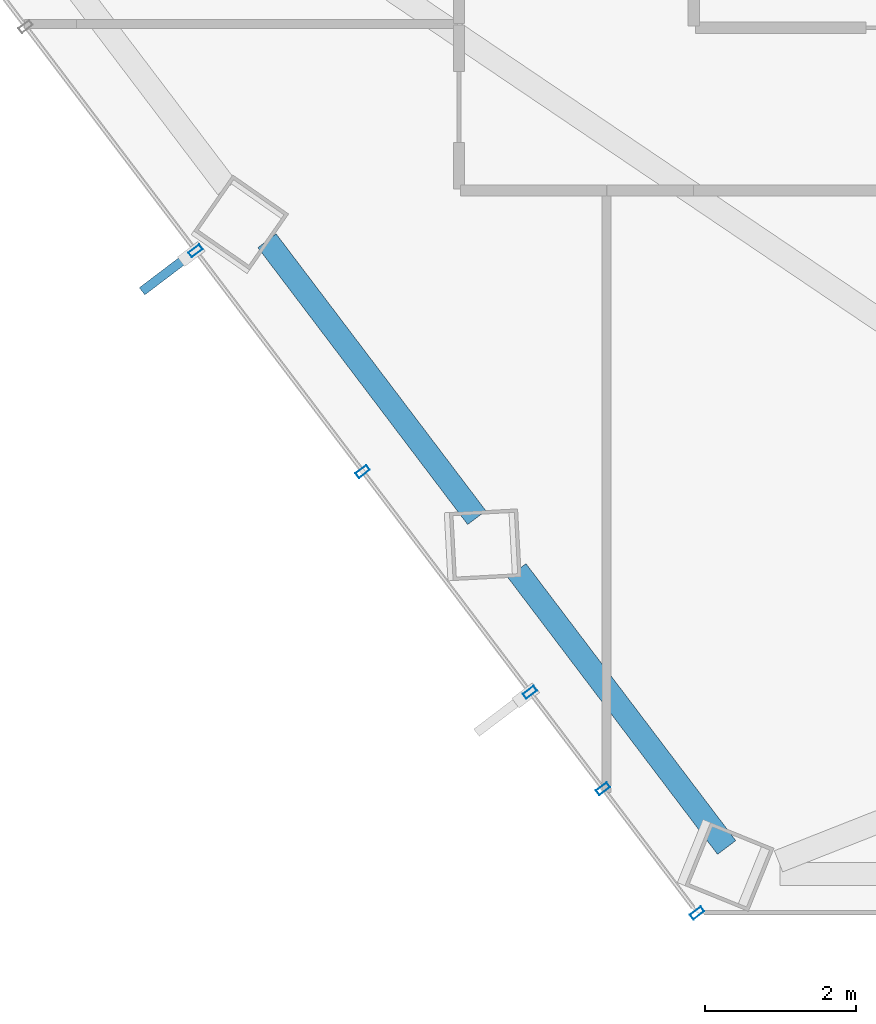
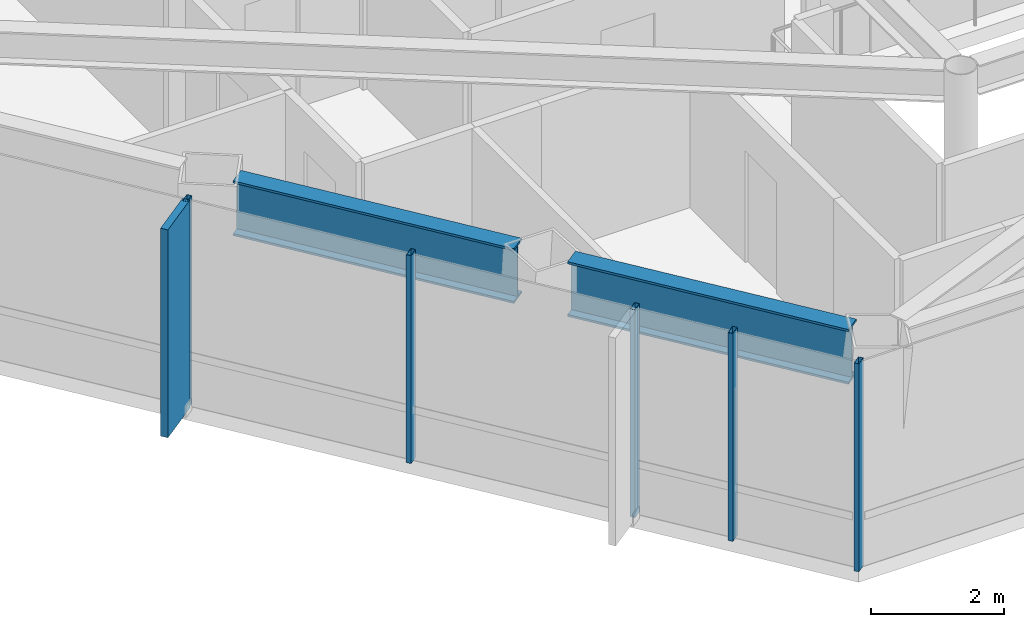
# One storey, part 2 of 26: 6 members, 2 beams, 1 element without a shape of its own.
"""IFC4 building model written with IfcOpenShell, lengths in metres."""

from ifc_helpers import new_model, si_unit, direction, frame, origin, origin_2d, place, context, subcontext, project, spatial, rectangle, hollow_rectangle, i_section, extrude, material, layer, layer_set, material_profile, profile_set, type_object, element, aggregate, save


model = new_model("IFC4")

# Units and contexts
model_context = context("Model", 3, precision=1e-05, world=origin(), true_north=direction((0.0, 1.0)))
body_context = subcontext(model_context, "Body", "Model", "MODEL_VIEW")
ifc_project = project(units=[si_unit("LENGTHUNIT", "METRE"), si_unit("AREAUNIT", "SQUARE_METRE"), si_unit("VOLUMEUNIT", "CUBIC_METRE"), si_unit("PLANEANGLEUNIT", "RADIAN"), si_unit("MASSUNIT", "GRAM", prefix="KILO")], contexts=[model_context])

# Site, building, storey
site_placement = place(None, origin())
site = spatial("IfcSite", under=ifc_project, at=site_placement, CompositionType="ELEMENT")
building_placement = place(site_placement, origin())
building = spatial("IfcBuilding", under=site, at=building_placement, Name="Zarrinselat Tower", CompositionType="ELEMENT")
storey_placement = place(building_placement, frame((0.0, 0.0, 92.820068359375)))
storey = spatial("IfcBuildingStorey", under=building, at=storey_placement, Name="L22", CompositionType="ELEMENT", Elevation=92.820068359375)

# Beams
ifc_material_1 = material(Name="Steel S460M", Category="steel")
ifc_material_profile_1 = material_profile(ifc_material_1, i_section(OverallWidth=0.302001953125, OverallDepth=1.008056640625, WebThickness=0.02099609375, FlangeThickness=0.0400390625, at=origin_2d()), Name="HEM 1000")
ifc_profile_set_1 = profile_set([ifc_material_profile_1], Name="Steel S460M")
beam_type = type_object("IfcBeamType", Name="BM-HEM1000", PredefinedType="BEAM", material=ifc_profile_set_1)
for number, where, z_axis, x_axis, name in (
    (1, (22.9150390625, 27.336669921875, 3.31591796875), (0.603833098178, -0.797110776206, 0.0), (0.797110776206, 0.603833098178, 0.0), "L22 Perimeter Spandrel Girder SP08"),
    (2, (26.21435546875, 22.981689453125, 3.31591796875), (0.603833098178, -0.797110776206, 0.0), (0.797110776206, 0.603833098178, 0.0), "L22 Perimeter Spandrel Girder SP09"),
):
    element("IfcBeam", number, at=place(storey_placement, frame(where, z_axis=z_axis, x_axis=x_axis)), inside=storey, type_object=beam_type, Name=name, PredefinedType="BEAM", context=body_context, shape_type="SweptSolid", body=[
        extrude(i_section(OverallWidth=0.302001953125, OverallDepth=1.008056640625, WebThickness=0.02099609375, FlangeThickness=0.0400390625, at=origin_2d()), origin(), (0.0, 0.0, 1.0), 4.587890625),
    ])

# Curtain wall, members
ifc_material_2 = material(Name="Extruded Aluminium Alloy EN AW-6063 T6", Category="aluminium")
ifc_layer = layer(ifc_material_2, 0.18505859375)
ifc_layer_set = layer_set([ifc_layer], Name="Extruded Aluminium Alloy EN AW-6063 T6")
curtain_wall_type = type_object("IfcCurtainWallType", Name="CWS-OFF", PredefinedType="NOTDEFINED", material=ifc_layer_set)
curtain_wall_placement = place(storey_placement, origin())
curtain_wall = element("IfcCurtainWall", 3, at=curtain_wall_placement, inside=storey, type_object=curtain_wall_type, Name="L22 Unitised Curtain Wall CW-L22-E03", PredefinedType="NOTDEFINED")
ifc_material_3 = material(Name="Extruded Aluminium Alloy EN AW-6063 T6", Category="aluminium")
ifc_material_profile_2 = material_profile(ifc_material_3, hollow_rectangle(XDim=0.080078125, YDim=0.179931640625, WallThickness=0.0048828125, at=origin_2d()), Name="RHS 180x80x5")
ifc_profile_set_2 = profile_set([ifc_material_profile_2], Name="Extruded Aluminium Alloy EN AW-6063 T6")
member_type_1 = type_object("IfcMemberType", Name="MEM-CW-MUL", PredefinedType="MULLION", material=ifc_profile_set_2)
member_1_placement = place(storey_placement, frame((21.970947265625, 27.202880859375, 0.0), z_axis=(0.0, 0.0, 1.0), x_axis=(0.603856459269, -0.797093079006, 0.0)))
member_1 = element("IfcMember", 4, at=member_1_placement, type_object=member_type_1, Name="CW-L22-E03 Mullion 3", PredefinedType="MULLION", context=body_context, shape_type="SweptSolid", body=[
    extrude(hollow_rectangle(XDim=0.080078125, YDim=0.179931640625, WallThickness=0.0048828125, at=origin_2d()), origin(), (0.0, 0.0, 1.0), 3.81982421875),
])
member_2_placement = place(storey_placement, frame((24.1787109375, 24.28857421875, 0.0), z_axis=(0.0, 0.0, 1.0), x_axis=(0.603856459269, -0.797093079006, 0.0)))
member_2 = element("IfcMember", 5, at=member_2_placement, type_object=member_type_1, Name="CW-L22-E03 Mullion 4", PredefinedType="MULLION", context=body_context, shape_type="SweptSolid", body=[
    extrude(hollow_rectangle(XDim=0.080078125, YDim=0.179931640625, WallThickness=0.0048828125, at=origin_2d()), origin(), (0.0, 0.0, 1.0), 3.81982421875),
])
member_3_placement = place(storey_placement, frame((26.38671875, 21.374267578125, 0.0), z_axis=(0.0, 0.0, 1.0), x_axis=(0.603856459269, -0.797093079006, 0.0)))
member_3 = element("IfcMember", 6, at=member_3_placement, type_object=member_type_1, Name="CW-L22-E03 Mullion 5", PredefinedType="MULLION", context=body_context, shape_type="SweptSolid", body=[
    extrude(hollow_rectangle(XDim=0.080078125, YDim=0.179931640625, WallThickness=0.0048828125, at=origin_2d()), origin(), (0.0, 0.0, 1.0), 3.81982421875),
])
member_4_placement = place(storey_placement, frame((27.352294921875, 20.099853515625, 0.0), z_axis=(0.0, 0.0, 1.0), x_axis=(0.603856459269, -0.797093079006, 0.0)))
member_4 = element("IfcMember", 7, at=member_4_placement, type_object=member_type_1, Name="CW-L22-E03 Mullion 6", PredefinedType="MULLION", context=body_context, shape_type="SweptSolid", body=[
    extrude(hollow_rectangle(XDim=0.080078125, YDim=0.179931640625, WallThickness=0.0048828125, at=origin_2d()), origin(), (0.0, 0.0, 1.0), 3.81982421875),
])
member_5_placement = place(storey_placement, frame((28.594482421875, 18.4599609375, 0.0), z_axis=(0.0, 0.0, 1.0), x_axis=(0.603856459269, -0.797093079006, 0.0)))
member_5 = element("IfcMember", 8, at=member_5_placement, type_object=member_type_1, Name="CW-L22-E03 Mullion 7", PredefinedType="MULLION", context=body_context, shape_type="SweptSolid", body=[
    extrude(hollow_rectangle(XDim=0.080078125, YDim=0.179931640625, WallThickness=0.0048828125, at=origin_2d()), origin(), (0.0, 0.0, 1.0), 3.81982421875),
])
ifc_material_4 = material(Name="Honed Cream Travertine Stone", Category="masonry")
ifc_material_profile_3 = material_profile(ifc_material_4, rectangle(XDim=0.1201171875, YDim=0.85009765625, at=origin_2d()), Name="FIN 850x120")
ifc_profile_set_3 = profile_set([ifc_material_profile_3], Name="Honed Cream Travertine Stone")
member_type_2 = type_object("IfcMemberType", Name="MEM-STONE-FIN", PredefinedType="USERDEFINED", material=ifc_profile_set_3)
member_6_placement = place(storey_placement, frame((21.604248046875, 26.925048828125, 0.0), z_axis=(0.0, 0.0, 1.0), x_axis=(-0.603856459269, 0.797093079006, 0.0)))
member_6 = element("IfcMember", 9, at=member_6_placement, type_object=member_type_2, Name="L22 Stone Shading Fin CW-L22-E03-03", ObjectType="FIN", PredefinedType="USERDEFINED", context=body_context, shape_type="SweptSolid", body=[
    extrude(rectangle(XDim=0.1201171875, YDim=0.85009765625, at=origin_2d()), origin(), (0.0, 0.0, 1.0), 3.81982421875),
])
aggregate(curtain_wall, [member_1, member_6, member_2, member_3, member_4, member_5])

save(model, "model.ifc")
